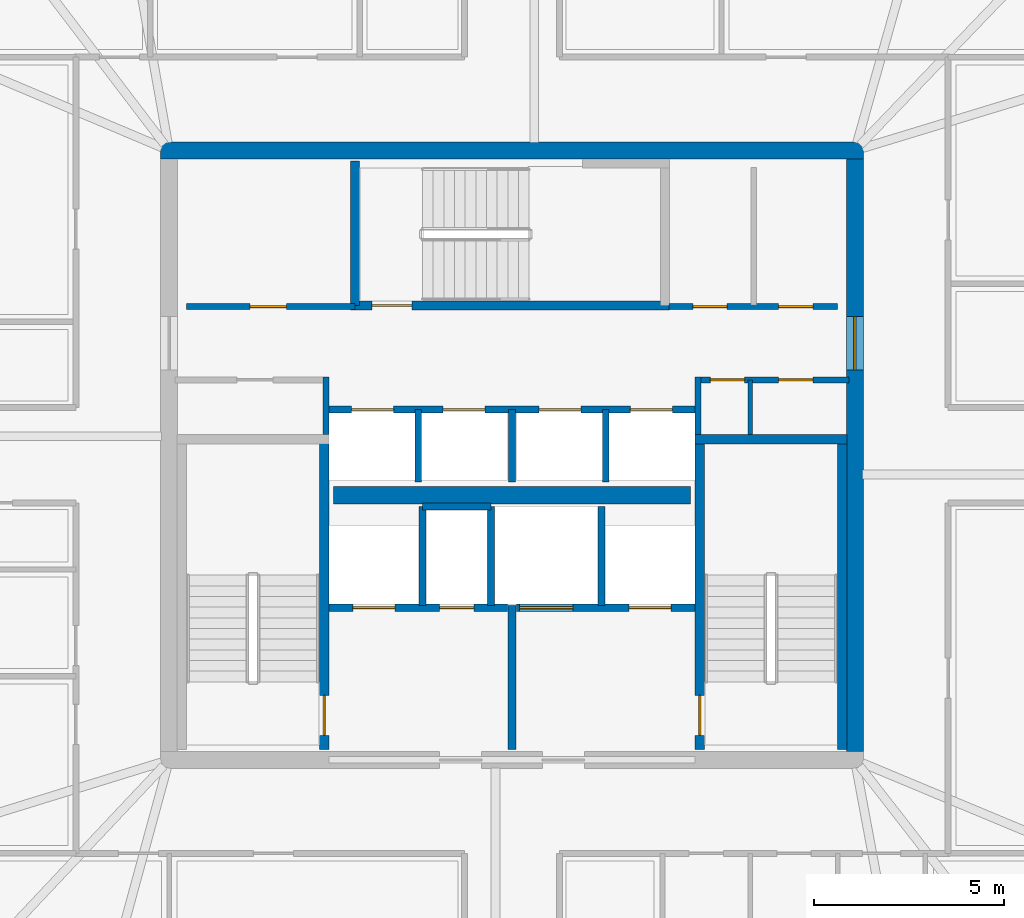
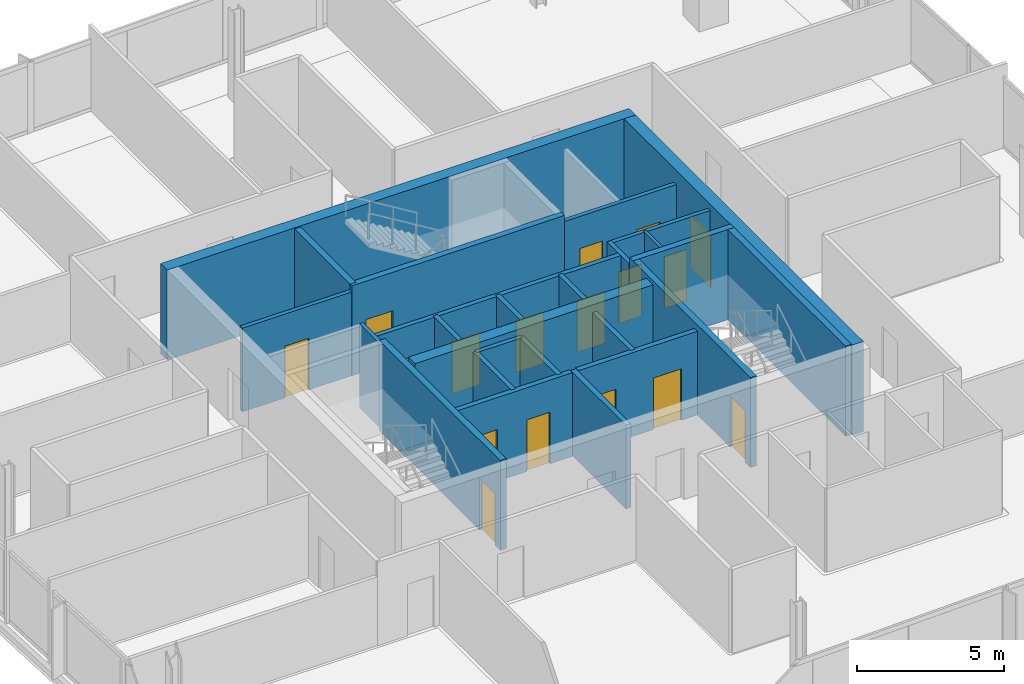
# One storey, part 18 of 23: 26 walls, 17 doors, 17 openings.
"""IFC4 building model written with IfcOpenShell, lengths in metres."""

from ifc_helpers import new_model, si_unit, direction, frame, frame_2d, origin, place, context, subcontext, project, spatial, rectangle, extrude, material, layer, layer_set, type_object, element, fill, save


model = new_model("IFC4")

# Units and contexts
model_context = context("Model", 3, precision=1e-05, world=origin(), true_north=direction((0.0, 1.0)))
body_context = subcontext(model_context, "Body", "Model", "MODEL_VIEW")
ifc_project = project(units=[si_unit("LENGTHUNIT", "METRE"), si_unit("AREAUNIT", "SQUARE_METRE"), si_unit("VOLUMEUNIT", "CUBIC_METRE"), si_unit("PLANEANGLEUNIT", "RADIAN"), si_unit("MASSUNIT", "GRAM", prefix="KILO")], contexts=[model_context])

# Site, building, storey
site_placement = place(None, origin())
site = spatial("IfcSite", under=ifc_project, at=site_placement, CompositionType="ELEMENT")
building_placement = place(site_placement, origin())
building = spatial("IfcBuilding", under=site, at=building_placement, Name="Haldenkirk Collegiate Tower", CompositionType="ELEMENT")
storey_placement = place(building_placement, frame((0.0, 0.0, 336.449951171875)))
storey = spatial("IfcBuildingStorey", under=building, at=storey_placement, Name="L85", CompositionType="ELEMENT", Elevation=336.449951171875)

# Wall
ifc_material_1 = material(Name="Concrete f'c 55 MPa", Category="concrete")
ifc_layer_1 = layer(ifc_material_1, 0.449951171875)
ifc_layer_set_1 = layer_set([ifc_layer_1], Name="Concrete f'c 55 MPa")
wall_type_1 = type_object("IfcWallType", Name="WL-CORE-450", PredefinedType="SHEAR", material=ifc_layer_set_1)
wall_1_placement = place(storey_placement, frame((26.77490234375, 34.0, 0.0), z_axis=(0.0, 0.0, 1.0), x_axis=(1.0, 0.0, 0.0)))
element("IfcWall", 1, at=wall_1_placement, inside=storey, type_object=wall_type_1, Name="L85 central core shear wall N", PredefinedType="SHEAR", context=body_context, shape_type="SweptSolid", body=[
    extrude(rectangle(XDim=18.4501953125, YDim=0.449951171875, at=frame_2d((9.22509765625, 0.0))), origin(), (0.0, 0.0, 1.0), 3.75),
])

# Wall, opening, door
wall_2_placement = place(storey_placement, frame((45.0, 18.22509765625, 0.0), z_axis=(0.0, 0.0, 1.0), x_axis=(0.0, 1.0, 0.0)))
wall_2 = element("IfcWall", 2, at=wall_2_placement, inside=storey, type_object=wall_type_1, Name="L85 central core shear wall E", PredefinedType="SHEAR", context=body_context, shape_type="SweptSolid", body=[
    extrude(rectangle(XDim=15.5498046875, YDim=0.449951171875, at=frame_2d((7.77490234375, 0.0))), origin(), (0.0, 0.0, 1.0), 3.75),
])
opening_1_placement = place(wall_2_placement, frame((10.014892578125, 0.0, 0.0)))
opening_1 = element("IfcOpeningElement", 3, at=opening_1_placement, cuts=wall_2, Name="Opening D-03", PredefinedType="OPENING", context=body_context, shape_type="SweptSolid", body=[
    extrude(rectangle(XDim=1.39990234375, YDim=2.199951171875, at=frame_2d((0.699951171875, 1.10009765625))), frame((0.0, 0.23486328125, 0.0), z_axis=(0.0, -1.0, 0.0), x_axis=(1.0, 0.0, 0.0)), (0.0, 0.0, 1.0), 0.469970703125),
])
ifc_material_2 = material(Name="Galvanized fire-rated hollow steel door", Category="steel")
ifc_layer_2 = layer(ifc_material_2, 0.06005859375)
ifc_layer_set_2 = layer_set([ifc_layer_2], Name="Galvanized fire-rated hollow steel door")
door_type_1 = type_object("IfcDoorType", Name="DR-LOBBY-FD90-1400", OperationType="NOTDEFINED", PredefinedType="DOOR", material=ifc_layer_set_2)
door_1_placement = place(opening_1_placement, origin())
door_1 = element("IfcDoor", 4, at=door_1_placement, inside=storey, type_object=door_type_1, Name="L85 east lift lobby portal", OperationType="DOUBLE_DOOR_SINGLE_SWING", OverallHeight=2.199951171875, OverallWidth=1.39990234375, PredefinedType="DOOR", context=body_context, shape_type="SweptSolid", body=[
    extrude(rectangle(XDim=1.39990234375, YDim=2.199951171875, at=frame_2d((0.699951171875, 1.10009765625))), frame((0.0, 0.02490234375, 0.0), z_axis=(0.0, -1.0, 0.0), x_axis=(1.0, 0.0, 0.0)), (0.0, 0.0, 1.0), 0.050048828125),
])
fill(opening_1, door_1)

# Walls
wall_3_placement = place(storey_placement, frame((31.31005859375, 24.949951171875, 0.0), z_axis=(0.0, 0.0, 1.0), x_axis=(1.0, 0.0, 0.0)))
element("IfcWall", 5, at=wall_3_placement, inside=storey, type_object=wall_type_1, Name="L85 central core spine shear wall", PredefinedType="SHEAR", context=body_context, shape_type="SweptSolid", body=[
    extrude(rectangle(XDim=9.3798828125, YDim=0.449951171875, at=frame_2d((4.68994140625, 0.0))), origin(), (0.0, 0.0, 1.0), 3.75),
])
ifc_material_3 = material(Name="Acoustic fire-rated gypsum partition", Category="concrete")
ifc_layer_3 = layer(ifc_material_3, 0.159912109375)
ifc_layer_set_3 = layer_set([ifc_layer_3], Name="Acoustic fire-rated gypsum partition")
wall_type_2 = type_object("IfcWallType", Name="WL-INT-CORR-160", PredefinedType="PARTITIONING", material=ifc_layer_set_3)
wall_4_placement = place(storey_placement, frame((31.1201171875, 26.5400390625, 0.0), z_axis=(0.0, 0.0, 1.0), x_axis=(0.0, 1.0, 0.0)))
element("IfcWall", 6, at=wall_4_placement, inside=storey, type_object=wall_type_2, Name="L85 interior partition IW-L85-VCSW-E", PredefinedType="PARTITIONING", context=body_context, shape_type="SweptSolid", body=[
    extrude(rectangle(XDim=1.510009765625, YDim=0.159912109375, at=frame_2d((0.7548828125, 0.0))), origin(), (0.0, 0.0, 1.0), 3.489990234375),
])

# Wall, openings, doors
wall_5_placement = place(storey_placement, frame((40.800048828125, 27.97998046875, 0.0), z_axis=(0.0, 0.0, 1.0), x_axis=(1.0, 0.0, 0.0)))
wall_5 = element("IfcWall", 7, at=wall_5_placement, inside=storey, type_object=wall_type_2, Name="L85 interior partition IW-L85-VCSE-N", PredefinedType="PARTITIONING", context=body_context, shape_type="SweptSolid", body=[
    extrude(rectangle(XDim=4.050048828125, YDim=0.159912109375, at=frame_2d((2.02490234375, 0.0))), origin(), (0.0, 0.0, 1.0), 3.489990234375),
])
opening_2_placement = place(wall_5_placement, frame((0.407470703125, 0.0, 0.0)))
opening_2 = element("IfcOpeningElement", 8, at=opening_2_placement, cuts=wall_5, Name="Opening D-11", PredefinedType="OPENING", context=body_context, shape_type="SweptSolid", body=[
    extrude(rectangle(XDim=0.89990234375, YDim=2.14990234375, at=frame_2d((0.449951171875, 1.074951171875))), frame((0.0, 0.08984375, 0.0), z_axis=(0.0, -1.0, 0.0), x_axis=(1.0, 0.0, 0.0)), (0.0, 0.0, 1.0), 0.179931640625),
])
opening_3_placement = place(wall_5_placement, frame((2.199951171875, 0.0, 0.0)))
opening_3 = element("IfcOpeningElement", 9, at=opening_3_placement, cuts=wall_5, Name="Opening D-11", PredefinedType="OPENING", context=body_context, shape_type="SweptSolid", body=[
    extrude(rectangle(XDim=0.89990234375, YDim=2.14990234375, at=frame_2d((0.449951171875, 1.074951171875))), frame((0.0, 0.08984375, 0.0), z_axis=(0.0, -1.0, 0.0), x_axis=(1.0, 0.0, 0.0)), (0.0, 0.0, 1.0), 0.179931640625),
])
ifc_material_4 = material(Name="Solid-core architectural oak fire door", Category="wood")
ifc_layer_4 = layer(ifc_material_4, 0.06005859375)
ifc_layer_set_4 = layer_set([ifc_layer_4], Name="Solid-core architectural oak fire door")
door_type_2 = type_object("IfcDoorType", Name="DR-INT-FD60-900", OperationType="NOTDEFINED", PredefinedType="DOOR", material=ifc_layer_set_4)
door_2_placement = place(opening_2_placement, origin())
door_2 = element("IfcDoor", 10, at=door_2_placement, inside=storey, type_object=door_type_2, Name="L85 core copy room door", OperationType="SINGLE_SWING_LEFT", OverallHeight=2.14990234375, OverallWidth=0.89990234375, PredefinedType="DOOR", context=body_context, shape_type="SweptSolid", body=[
    extrude(rectangle(XDim=0.89990234375, YDim=2.14990234375, at=frame_2d((0.449951171875, 1.074951171875))), frame((0.0, 0.02490234375, 0.0), z_axis=(0.0, -1.0, 0.0), x_axis=(1.0, 0.0, 0.0)), (0.0, 0.0, 1.0), 0.050048828125),
])
fill(opening_2, door_2)
door_3_placement = place(opening_3_placement, origin())
door_3 = element("IfcDoor", 11, at=door_3_placement, inside=storey, type_object=door_type_2, Name="L85 core records store door", OperationType="SINGLE_SWING_RIGHT", OverallHeight=2.14990234375, OverallWidth=0.89990234375, PredefinedType="DOOR", context=body_context, shape_type="SweptSolid", body=[
    extrude(rectangle(XDim=0.89990234375, YDim=2.14990234375, at=frame_2d((0.449951171875, 1.074951171875))), frame((0.0, 0.02490234375, 0.0), z_axis=(0.0, -1.0, 0.0), x_axis=(1.0, 0.0, 0.0)), (0.0, 0.0, 1.0), 0.050048828125),
])
fill(opening_3, door_3)

# Wall
wall_6_placement = place(storey_placement, frame((40.8798828125, 26.5400390625, 0.0), z_axis=(0.0, 0.0, 1.0), x_axis=(0.0, 1.0, 0.0)))
element("IfcWall", 12, at=wall_6_placement, inside=storey, type_object=wall_type_2, Name="L85 interior partition IW-L85-VCSE-W", PredefinedType="PARTITIONING", context=body_context, shape_type="SweptSolid", body=[
    extrude(rectangle(XDim=1.510009765625, YDim=0.159912109375, at=frame_2d((0.7548828125, 0.0))), origin(), (0.0, 0.0, 1.0), 3.489990234375),
])

# Wall, opening, door
wall_7_placement = place(storey_placement, frame((27.449951171875, 29.89990234375, 0.0), z_axis=(0.0, 0.0, 1.0), x_axis=(1.0, 0.0, 0.0)))
wall_7 = element("IfcWall", 13, at=wall_7_placement, inside=storey, type_object=wall_type_2, Name="L85 interior partition IW-L85-PLS", PredefinedType="PARTITIONING", context=body_context, shape_type="SweptSolid", body=[
    extrude(rectangle(XDim=4.429931640625, YDim=0.159912109375, at=frame_2d((2.21484375, 0.0))), origin(), (0.0, 0.0, 1.0), 3.489990234375),
])
opening_4_placement = place(wall_7_placement, frame((1.675048828125, 0.0, 0.0)))
opening_4 = element("IfcOpeningElement", 14, at=opening_4_placement, cuts=wall_7, Name="Opening D-10", PredefinedType="OPENING", context=body_context, shape_type="SweptSolid", body=[
    extrude(rectangle(XDim=0.949951171875, YDim=2.14990234375, at=frame_2d((0.47509765625, 1.074951171875))), frame((0.0, 0.08984375, 0.0), z_axis=(0.0, -1.0, 0.0), x_axis=(1.0, 0.0, 0.0)), (0.0, 0.0, 1.0), 0.179931640625),
])
ifc_layer_5 = layer(ifc_material_4, 0.06005859375)
ifc_layer_set_5 = layer_set([ifc_layer_5], Name="Solid-core architectural oak fire door")
door_type_3 = type_object("IfcDoorType", Name="DR-INT-FD60-950", OperationType="NOTDEFINED", PredefinedType="DOOR", material=ifc_layer_set_5)
door_4_placement = place(opening_4_placement, origin())
door_4 = element("IfcDoor", 15, at=door_4_placement, inside=storey, type_object=door_type_3, Name="L85 archive door", OperationType="SINGLE_SWING_LEFT", OverallHeight=2.14990234375, OverallWidth=0.949951171875, PredefinedType="DOOR", context=body_context, shape_type="SweptSolid", body=[
    extrude(rectangle(XDim=0.949951171875, YDim=2.14990234375, at=frame_2d((0.47509765625, 1.074951171875))), frame((0.0, 0.02490234375, 0.0), z_axis=(0.0, -1.0, 0.0), x_axis=(1.0, 0.0, 0.0)), (0.0, 0.0, 1.0), 0.050048828125),
])
fill(opening_4, door_4)

# Wall, openings, doors
wall_8_placement = place(storey_placement, frame((40.1201171875, 29.89990234375, 0.0), z_axis=(0.0, 0.0, 1.0), x_axis=(1.0, 0.0, 0.0)))
wall_8 = element("IfcWall", 16, at=wall_8_placement, inside=storey, type_object=wall_type_2, Name="L85 interior partition IW-L85-PMS", PredefinedType="PARTITIONING", context=body_context, shape_type="SweptSolid", body=[
    extrude(rectangle(XDim=4.429931640625, YDim=0.159912109375, at=frame_2d((2.21484375, 0.0))), origin(), (0.0, 0.0, 1.0), 3.489990234375),
])
opening_5_placement = place(wall_8_placement, frame((0.6298828125, 0.0, 0.0)))
opening_5 = element("IfcOpeningElement", 17, at=opening_5_placement, cuts=wall_8, Name="Opening D-11", PredefinedType="OPENING", context=body_context, shape_type="SweptSolid", body=[
    extrude(rectangle(XDim=0.89990234375, YDim=2.14990234375, at=frame_2d((0.449951171875, 1.074951171875))), frame((0.0, 0.08984375, 0.0), z_axis=(0.0, -1.0, 0.0), x_axis=(1.0, 0.0, 0.0)), (0.0, 0.0, 1.0), 0.179931640625),
])
opening_6_placement = place(wall_8_placement, frame((2.8798828125, 0.0, 0.0)))
opening_6 = element("IfcOpeningElement", 18, at=opening_6_placement, cuts=wall_8, Name="Opening D-11", PredefinedType="OPENING", context=body_context, shape_type="SweptSolid", body=[
    extrude(rectangle(XDim=0.89990234375, YDim=2.14990234375, at=frame_2d((0.449951171875, 1.074951171875))), frame((0.0, 0.08984375, 0.0), z_axis=(0.0, -1.0, 0.0), x_axis=(1.0, 0.0, 0.0)), (0.0, 0.0, 1.0), 0.179931640625),
])
door_5_placement = place(opening_5_placement, origin())
door_5 = element("IfcDoor", 19, at=door_5_placement, inside=storey, type_object=door_type_2, Name="L85 staff WC door", OperationType="SINGLE_SWING_RIGHT", OverallHeight=2.14990234375, OverallWidth=0.89990234375, PredefinedType="DOOR", context=body_context, shape_type="SweptSolid", body=[
    extrude(rectangle(XDim=0.89990234375, YDim=2.14990234375, at=frame_2d((0.449951171875, 1.074951171875))), frame((0.0, 0.02490234375, 0.0), z_axis=(0.0, -1.0, 0.0), x_axis=(1.0, 0.0, 0.0)), (0.0, 0.0, 1.0), 0.050048828125),
])
fill(opening_5, door_5)
door_6_placement = place(opening_6_placement, origin())
door_6 = element("IfcDoor", 20, at=door_6_placement, inside=storey, type_object=door_type_2, Name="L85 seminar alcove door", OperationType="SINGLE_SWING_LEFT", OverallHeight=2.14990234375, OverallWidth=0.89990234375, PredefinedType="DOOR", context=body_context, shape_type="SweptSolid", body=[
    extrude(rectangle(XDim=0.89990234375, YDim=2.14990234375, at=frame_2d((0.449951171875, 1.074951171875))), frame((0.0, 0.02490234375, 0.0), z_axis=(0.0, -1.0, 0.0), x_axis=(1.0, 0.0, 0.0)), (0.0, 0.0, 1.0), 0.050048828125),
])
fill(opening_6, door_6)

# Walls
ifc_material_5 = material(Name="Fire-rated gypsum shaftboard assembly", Category="concrete")
ifc_layer_6 = layer(ifc_material_5, 0.179931640625)
ifc_layer_set_6 = layer_set([ifc_layer_6], Name="Fire-rated gypsum shaftboard assembly")
wall_type_3 = type_object("IfcWallType", Name="WL-INT-SHAFT-180", PredefinedType="PARTITIONING", material=ifc_layer_set_6)
for number, where, z_axis, x_axis, name in (
    (21, (33.64990234375, 22.050048828125, 0.0), (0.0, 0.0, 1.0), (0.0, 1.0, 0.0), "L85 interior partition IW-L85-FL1E"),
    (22, (35.449951171875, 22.050048828125, 0.0), (0.0, 0.0, 1.0), (0.0, 1.0, 0.0), "L85 interior partition IW-L85-GL1W"),
):
    element("IfcWall", number, at=place(storey_placement, frame(where, z_axis=z_axis, x_axis=x_axis)), inside=storey, type_object=wall_type_3, Name=name, PredefinedType="PARTITIONING", context=body_context, shape_type="SweptSolid", body=[
        extrude(rectangle(XDim=2.599853515625, YDim=0.179931640625, at=frame_2d((1.2998046875, 0.0))), origin(), (0.0, 0.0, 1.0), 3.489990234375),
    ])
wall_9_placement = place(storey_placement, frame((33.64990234375, 24.64990234375, 0.0), z_axis=(0.0, 0.0, 1.0), x_axis=(1.0, 0.0, 0.0)))
element("IfcWall", 23, at=wall_9_placement, inside=storey, type_object=wall_type_3, Name="L85 interior partition IW-L85-RSRN", PredefinedType="PARTITIONING", context=body_context, shape_type="SweptSolid", body=[
    extrude(rectangle(XDim=1.800048828125, YDim=0.179931640625, at=frame_2d((0.89990234375, 0.0))), origin(), (0.0, 0.0, 1.0), 3.489990234375),
])
wall_10_placement = place(storey_placement, frame((38.35009765625, 22.050048828125, 0.0), z_axis=(0.0, 0.0, 1.0), x_axis=(0.0, 1.0, 0.0)))
element("IfcWall", 24, at=wall_10_placement, inside=storey, type_object=wall_type_3, Name="L85 interior partition IW-L85-GL1E", PredefinedType="PARTITIONING", context=body_context, shape_type="SweptSolid", body=[
    extrude(rectangle(XDim=2.599853515625, YDim=0.179931640625, at=frame_2d((1.2998046875, 0.0))), origin(), (0.0, 0.0, 1.0), 3.489990234375),
])

# Wall, openings, doors
wall_11_placement = place(storey_placement, frame((31.199951171875, 27.199951171875, 0.0), z_axis=(0.0, 0.0, 1.0), x_axis=(1.0, 0.0, 0.0)))
wall_11 = element("IfcWall", 25, at=wall_11_placement, inside=storey, type_object=wall_type_3, Name="L85 interior partition IW-L85-PHN", PredefinedType="PARTITIONING", context=body_context, shape_type="SweptSolid", body=[
    extrude(rectangle(XDim=9.60009765625, YDim=0.179931640625, at=frame_2d((4.800048828125, 0.0))), origin(), (0.0, 0.0, 1.0), 3.489990234375),
])
opening_7_placement = place(wall_11_placement, frame((0.590087890625, 0.0, 0.0)))
opening_7 = element("IfcOpeningElement", 26, at=opening_7_placement, cuts=wall_11, Name="Opening LD-11", PredefinedType="OPENING", context=body_context, shape_type="SweptSolid", body=[
    extrude(rectangle(XDim=1.10009765625, YDim=2.14990234375, at=frame_2d((0.550048828125, 1.074951171875))), frame((0.0, 0.099853515625, 0.0), z_axis=(0.0, -1.0, 0.0), x_axis=(1.0, 0.0, 0.0)), (0.0, 0.0, 1.0), 0.199951171875),
])
opening_8_placement = place(wall_11_placement, frame((2.989990234375, 0.0, 0.0)))
opening_8 = element("IfcOpeningElement", 27, at=opening_8_placement, cuts=wall_11, Name="Opening LD-11", PredefinedType="OPENING", context=body_context, shape_type="SweptSolid", body=[
    extrude(rectangle(XDim=1.10009765625, YDim=2.14990234375, at=frame_2d((0.550048828125, 1.074951171875))), frame((0.0, 0.099853515625, 0.0), z_axis=(0.0, -1.0, 0.0), x_axis=(1.0, 0.0, 0.0)), (0.0, 0.0, 1.0), 0.199951171875),
])
opening_9_placement = place(wall_11_placement, frame((5.510009765625, 0.0, 0.0)))
opening_9 = element("IfcOpeningElement", 28, at=opening_9_placement, cuts=wall_11, Name="Opening LD-11", PredefinedType="OPENING", context=body_context, shape_type="SweptSolid", body=[
    extrude(rectangle(XDim=1.10009765625, YDim=2.14990234375, at=frame_2d((0.550048828125, 1.074951171875))), frame((0.0, 0.099853515625, 0.0), z_axis=(0.0, -1.0, 0.0), x_axis=(1.0, 0.0, 0.0)), (0.0, 0.0, 1.0), 0.199951171875),
])
opening_10_placement = place(wall_11_placement, frame((7.909912109375, 0.0, 0.0)))
opening_10 = element("IfcOpeningElement", 29, at=opening_10_placement, cuts=wall_11, Name="Opening LD-11", PredefinedType="OPENING", context=body_context, shape_type="SweptSolid", body=[
    extrude(rectangle(XDim=1.10009765625, YDim=2.14990234375, at=frame_2d((0.550048828125, 1.074951171875))), frame((0.0, 0.099853515625, 0.0), z_axis=(0.0, -1.0, 0.0), x_axis=(1.0, 0.0, 0.0)), (0.0, 0.0, 1.0), 0.199951171875),
])
ifc_material_6 = material(Name="Brushed architectural stainless steel", Category="steel")
ifc_layer_7 = layer(ifc_material_6, 0.06005859375)
ifc_layer_set_7 = layer_set([ifc_layer_7], Name="Brushed architectural stainless steel")
door_type_4 = type_object("IfcDoorType", Name="LD-PASS-1100", OperationType="NOTDEFINED", PredefinedType="DOOR", material=ifc_layer_set_7)
door_7_placement = place(opening_7_placement, origin())
door_7 = element("IfcDoor", 30, at=door_7_placement, inside=storey, type_object=door_type_4, Name="L85 Elevator PH1 sliding landing door", OperationType="SLIDING_TO_LEFT", OverallHeight=2.14990234375, OverallWidth=1.10009765625, PredefinedType="DOOR", context=body_context, shape_type="SweptSolid", body=[
    extrude(rectangle(XDim=1.10009765625, YDim=2.14990234375, at=frame_2d((0.550048828125, 1.074951171875))), frame((0.0, 0.02490234375, 0.0), z_axis=(0.0, -1.0, 0.0), x_axis=(1.0, 0.0, 0.0)), (0.0, 0.0, 1.0), 0.050048828125),
])
fill(opening_7, door_7)
door_8_placement = place(opening_8_placement, origin())
door_8 = element("IfcDoor", 31, at=door_8_placement, inside=storey, type_object=door_type_4, Name="L85 Elevator PH2 sliding landing door", OperationType="SLIDING_TO_LEFT", OverallHeight=2.14990234375, OverallWidth=1.10009765625, PredefinedType="DOOR", context=body_context, shape_type="SweptSolid", body=[
    extrude(rectangle(XDim=1.10009765625, YDim=2.14990234375, at=frame_2d((0.550048828125, 1.074951171875))), frame((0.0, 0.02490234375, 0.0), z_axis=(0.0, -1.0, 0.0), x_axis=(1.0, 0.0, 0.0)), (0.0, 0.0, 1.0), 0.050048828125),
])
fill(opening_8, door_8)
door_9_placement = place(opening_9_placement, origin())
door_9 = element("IfcDoor", 32, at=door_9_placement, inside=storey, type_object=door_type_4, Name="L85 Elevator PH3 sliding landing door", OperationType="SLIDING_TO_LEFT", OverallHeight=2.14990234375, OverallWidth=1.10009765625, PredefinedType="DOOR", context=body_context, shape_type="SweptSolid", body=[
    extrude(rectangle(XDim=1.10009765625, YDim=2.14990234375, at=frame_2d((0.550048828125, 1.074951171875))), frame((0.0, 0.02490234375, 0.0), z_axis=(0.0, -1.0, 0.0), x_axis=(1.0, 0.0, 0.0)), (0.0, 0.0, 1.0), 0.050048828125),
])
fill(opening_9, door_9)
door_10_placement = place(opening_10_placement, origin())
door_10 = element("IfcDoor", 33, at=door_10_placement, inside=storey, type_object=door_type_4, Name="L85 Elevator PH4 sliding landing door", OperationType="SLIDING_TO_LEFT", OverallHeight=2.14990234375, OverallWidth=1.10009765625, PredefinedType="DOOR", context=body_context, shape_type="SweptSolid", body=[
    extrude(rectangle(XDim=1.10009765625, YDim=2.14990234375, at=frame_2d((0.550048828125, 1.074951171875))), frame((0.0, 0.02490234375, 0.0), z_axis=(0.0, -1.0, 0.0), x_axis=(1.0, 0.0, 0.0)), (0.0, 0.0, 1.0), 0.050048828125),
])
fill(opening_10, door_10)

# Walls
for number, where, z_axis, x_axis, name in (
    (34, (33.5400390625, 25.300048828125, 0.0), (0.0, 0.0, 1.0), (0.0, 1.0, 0.0), "L85 interior partition IW-L85-PHV1"),
    (35, (36.0, 25.300048828125, 0.0), (0.0, 0.0, 1.0), (0.0, 1.0, 0.0), "L85 interior partition IW-L85-PHV2"),
    (36, (38.4599609375, 25.300048828125, 0.0), (0.0, 0.0, 1.0), (0.0, 1.0, 0.0), "L85 interior partition IW-L85-PHV3"),
):
    element("IfcWall", number, at=place(storey_placement, frame(where, z_axis=z_axis, x_axis=x_axis)), inside=storey, type_object=wall_type_3, Name=name, PredefinedType="PARTITIONING", context=body_context, shape_type="SweptSolid", body=[
        extrude(rectangle(XDim=1.89990234375, YDim=0.179931640625, at=frame_2d((0.949951171875, 0.0))), origin(), (0.0, 0.0, 1.0), 3.489990234375),
    ])
ifc_layer_8 = layer(ifc_material_5, 0.199951171875)
ifc_layer_set_8 = layer_set([ifc_layer_8], Name="Fire-rated gypsum shaftboard assembly")
wall_type_4 = type_object("IfcWallType", Name="WL-INT-SHAFT-200", PredefinedType="PARTITIONING", material=ifc_layer_set_8)
wall_12_placement = place(storey_placement, frame((36.0, 18.280029296875, 0.0), z_axis=(0.0, 0.0, 1.0), x_axis=(0.0, 1.0, 0.0)))
element("IfcWall", 37, at=wall_12_placement, inside=storey, type_object=wall_type_4, Name="L85 interior partition IW-L85-FFLM", PredefinedType="PARTITIONING", context=body_context, shape_type="SweptSolid", body=[
    extrude(rectangle(XDim=3.77001953125, YDim=0.199951171875, at=frame_2d((1.885009765625, 0.0))), origin(), (0.0, 0.0, 1.0), 3.489990234375),
])

# Wall, openings, doors
wall_13_placement = place(storey_placement, frame((31.18994140625, 22.0, 0.0), z_axis=(0.0, 0.0, 1.0), x_axis=(1.0, 0.0, 0.0)))
wall_13 = element("IfcWall", 38, at=wall_13_placement, inside=storey, type_object=wall_type_4, Name="L85 interior partition IW-L85-FFL1N", PredefinedType="PARTITIONING", context=body_context, shape_type="SweptSolid", body=[
    extrude(rectangle(XDim=4.68994140625, YDim=0.199951171875, at=frame_2d((2.344970703125, 0.0))), origin(), (0.0, 0.0, 1.0), 3.489990234375),
])
opening_11_placement = place(wall_13_placement, frame((2.909912109375, 0.0, 0.0)))
opening_11 = element("IfcOpeningElement", 39, at=opening_11_placement, cuts=wall_13, Name="Opening D-06", PredefinedType="OPENING", context=body_context, shape_type="SweptSolid", body=[
    extrude(rectangle(XDim=0.89990234375, YDim=2.14990234375, at=frame_2d((0.449951171875, 1.074951171875))), frame((0.0, 0.10986328125, 0.0), z_axis=(0.0, -1.0, 0.0), x_axis=(1.0, 0.0, 0.0)), (0.0, 0.0, 1.0), 0.219970703125),
])
opening_12_placement = place(wall_13_placement, frame((0.635009765625, 0.0, 0.0)))
opening_12 = element("IfcOpeningElement", 40, at=opening_12_placement, cuts=wall_13, Name="Opening LD-12", PredefinedType="OPENING", context=body_context, shape_type="SweptSolid", body=[
    extrude(rectangle(XDim=1.10009765625, YDim=2.14990234375, at=frame_2d((0.550048828125, 1.074951171875))), frame((0.0, 0.10986328125, 0.0), z_axis=(0.0, -1.0, 0.0), x_axis=(1.0, 0.0, 0.0)), (0.0, 0.0, 1.0), 0.219970703125),
])
ifc_layer_9 = layer(ifc_material_2, 0.06005859375)
ifc_layer_set_9 = layer_set([ifc_layer_9], Name="Galvanized fire-rated hollow steel door")
door_type_5 = type_object("IfcDoorType", Name="DR-INT-FD90-900", OperationType="NOTDEFINED", PredefinedType="DOOR", material=ifc_layer_set_9)
door_11_placement = place(opening_11_placement, origin())
door_11 = element("IfcDoor", 41, at=door_11_placement, inside=storey, type_object=door_type_5, Name="L85 electrical riser door", OperationType="SINGLE_SWING_LEFT", OverallHeight=2.14990234375, OverallWidth=0.89990234375, PredefinedType="DOOR", context=body_context, shape_type="SweptSolid", body=[
    extrude(rectangle(XDim=0.89990234375, YDim=2.14990234375, at=frame_2d((0.449951171875, 1.074951171875))), frame((0.0, 0.02490234375, 0.0), z_axis=(0.0, -1.0, 0.0), x_axis=(1.0, 0.0, 0.0)), (0.0, 0.0, 1.0), 0.050048828125),
])
fill(opening_11, door_11)
ifc_layer_10 = layer(ifc_material_6, 0.06005859375)
ifc_layer_set_10 = layer_set([ifc_layer_10], Name="Brushed architectural stainless steel")
door_type_6 = type_object("IfcDoorType", Name="LD-FIRE-1100", OperationType="NOTDEFINED", PredefinedType="DOOR", material=ifc_layer_set_10)
door_12_placement = place(opening_12_placement, origin())
door_12 = element("IfcDoor", 42, at=door_12_placement, inside=storey, type_object=door_type_6, Name="L85 Elevator FL1 sliding landing door", OperationType="SLIDING_TO_LEFT", OverallHeight=2.14990234375, OverallWidth=1.10009765625, PredefinedType="DOOR", context=body_context, shape_type="SweptSolid", body=[
    extrude(rectangle(XDim=1.10009765625, YDim=2.14990234375, at=frame_2d((0.550048828125, 1.074951171875))), frame((0.0, 0.02490234375, 0.0), z_axis=(0.0, -1.0, 0.0), x_axis=(1.0, 0.0, 0.0)), (0.0, 0.0, 1.0), 0.050048828125),
])
fill(opening_12, door_12)

wall_14_placement = place(storey_placement, frame((36.1201171875, 22.0, 0.0), z_axis=(0.0, 0.0, 1.0), x_axis=(1.0, 0.0, 0.0)))
wall_14 = element("IfcWall", 43, at=wall_14_placement, inside=storey, type_object=wall_type_4, Name="L85 interior partition IW-L85-FFL2N", PredefinedType="PARTITIONING", context=body_context, shape_type="SweptSolid", body=[
    extrude(rectangle(XDim=4.68994140625, YDim=0.199951171875, at=frame_2d((2.344970703125, 0.0))), origin(), (0.0, 0.0, 1.0), 3.489990234375),
])
opening_13_placement = place(wall_14_placement, frame((2.955078125, 0.0, 0.0)))
opening_13 = element("IfcOpeningElement", 44, at=opening_13_placement, cuts=wall_14, Name="Opening LD-12", PredefinedType="OPENING", context=body_context, shape_type="SweptSolid", body=[
    extrude(rectangle(XDim=1.10009765625, YDim=2.14990234375, at=frame_2d((0.550048828125, 1.074951171875))), frame((0.0, 0.10986328125, 0.0), z_axis=(0.0, -1.0, 0.0), x_axis=(1.0, 0.0, 0.0)), (0.0, 0.0, 1.0), 0.219970703125),
])
opening_14_placement = place(wall_14_placement, frame((0.080078125, 0.0, 0.0)))
opening_14 = element("IfcOpeningElement", 45, at=opening_14_placement, cuts=wall_14, Name="Opening LD-13", PredefinedType="OPENING", context=body_context, shape_type="SweptSolid", body=[
    extrude(rectangle(XDim=1.39990234375, YDim=2.199951171875, at=frame_2d((0.699951171875, 1.10009765625))), frame((0.0, 0.10986328125, 0.0), z_axis=(0.0, -1.0, 0.0), x_axis=(1.0, 0.0, 0.0)), (0.0, 0.0, 1.0), 0.219970703125),
])
door_13_placement = place(opening_13_placement, origin())
door_13 = element("IfcDoor", 46, at=door_13_placement, inside=storey, type_object=door_type_6, Name="L85 Elevator FL2 sliding landing door", OperationType="SLIDING_TO_LEFT", OverallHeight=2.14990234375, OverallWidth=1.10009765625, PredefinedType="DOOR", context=body_context, shape_type="SweptSolid", body=[
    extrude(rectangle(XDim=1.10009765625, YDim=2.14990234375, at=frame_2d((0.550048828125, 1.074951171875))), frame((0.0, 0.02490234375, 0.0), z_axis=(0.0, -1.0, 0.0), x_axis=(1.0, 0.0, 0.0)), (0.0, 0.0, 1.0), 0.050048828125),
])
fill(opening_13, door_13)
ifc_layer_11 = layer(ifc_material_6, 0.06005859375)
ifc_layer_set_11 = layer_set([ifc_layer_11], Name="Brushed architectural stainless steel")
door_type_7 = type_object("IfcDoorType", Name="LD-GOODS-1400", OperationType="NOTDEFINED", PredefinedType="DOOR", material=ifc_layer_set_11)
door_14_placement = place(opening_14_placement, origin())
door_14 = element("IfcDoor", 47, at=door_14_placement, inside=storey, type_object=door_type_7, Name="L85 Elevator GL1 sliding landing door", OperationType="SLIDING_TO_LEFT", OverallHeight=2.199951171875, OverallWidth=1.39990234375, PredefinedType="DOOR", context=body_context, shape_type="SweptSolid", body=[
    extrude(rectangle(XDim=1.39990234375, YDim=2.199951171875, at=frame_2d((0.699951171875, 1.10009765625))), frame((0.0, 0.02490234375, 0.0), z_axis=(0.0, -1.0, 0.0), x_axis=(1.0, 0.0, 0.0)), (0.0, 0.0, 1.0), 0.050048828125),
])
fill(opening_14, door_14)

# Wall
ifc_layer_12 = layer(ifc_material_3, 0.1201171875)
ifc_layer_set_12 = layer_set([ifc_layer_12], Name="Acoustic fire-rated gypsum partition")
wall_type_5 = type_object("IfcWallType", Name="WL-INT-WET-120", PredefinedType="PARTITIONING", material=ifc_layer_set_12)
wall_15_placement = place(storey_placement, frame((42.25, 26.5400390625, 0.0), z_axis=(0.0, 0.0, 1.0), x_axis=(0.0, 1.0, 0.0)))
element("IfcWall", 48, at=wall_15_placement, inside=storey, type_object=wall_type_5, Name="L85 interior partition IW-L85-VCSE-M", PredefinedType="PARTITIONING", context=body_context, shape_type="SweptSolid", body=[
    extrude(rectangle(XDim=1.43994140625, YDim=0.1201171875, at=frame_2d((0.719970703125, 0.0))), origin(), (0.0, 0.0, 1.0), 3.489990234375),
])

# Wall, opening, door
ifc_layer_13 = layer(ifc_material_1, 0.239990234375)
ifc_layer_set_13 = layer_set([ifc_layer_13], Name="Concrete f'c 55 MPa")
wall_type_6 = type_object("IfcWallType", Name="WL-SHAFT-240", PredefinedType="SHEAR", material=ifc_layer_set_13)
wall_16_placement = place(storey_placement, frame((31.070068359375, 18.280029296875, 0.0), z_axis=(0.0, 0.0, 1.0), x_axis=(0.0, 1.0, 0.0)))
wall_16 = element("IfcWall", 49, at=wall_16_placement, inside=storey, type_object=wall_type_6, Name="L85 stair shaft shear wall SW-L85-ST1E", PredefinedType="SHEAR", context=body_context, shape_type="SweptSolid", body=[
    extrude(rectangle(XDim=8.260009765625, YDim=0.239990234375, at=frame_2d((4.1298828125, 0.0))), origin(), (0.0, 0.0, 1.0), 3.75),
])
opening_15_placement = place(wall_16_placement, frame((0.364990234375, 0.0, 0.0)))
opening_15 = element("IfcOpeningElement", 50, at=opening_15_placement, cuts=wall_16, Name="Opening D-01", PredefinedType="OPENING", context=body_context, shape_type="SweptSolid", body=[
    extrude(rectangle(XDim=1.050048828125, YDim=2.14990234375, at=frame_2d((0.52490234375, 1.074951171875))), frame((0.0, 0.1298828125, 0.0), z_axis=(0.0, -1.0, 0.0), x_axis=(1.0, 0.0, 0.0)), (0.0, 0.0, 1.0), 0.260009765625),
])
ifc_layer_14 = layer(ifc_material_2, 0.06005859375)
ifc_layer_set_14 = layer_set([ifc_layer_14], Name="Galvanized fire-rated hollow steel door")
door_type_8 = type_object("IfcDoorType", Name="DR-STAIR-FD90-1050", OperationType="NOTDEFINED", PredefinedType="DOOR", material=ifc_layer_set_14)
door_15_placement = place(opening_15_placement, origin())
door_15 = element("IfcDoor", 51, at=door_15_placement, inside=storey, type_object=door_type_8, Name="L85 Stair 1 door", OperationType="SINGLE_SWING_LEFT", OverallHeight=2.14990234375, OverallWidth=1.050048828125, PredefinedType="DOOR", context=body_context, shape_type="SweptSolid", body=[
    extrude(rectangle(XDim=1.050048828125, YDim=2.14990234375, at=frame_2d((0.52490234375, 1.074951171875))), frame((0.0, 0.02490234375, 0.0), z_axis=(0.0, -1.0, 0.0), x_axis=(1.0, 0.0, 0.0)), (0.0, 0.0, 1.0), 0.050048828125),
])
fill(opening_15, door_15)

wall_17_placement = place(storey_placement, frame((40.929931640625, 18.280029296875, 0.0), z_axis=(0.0, 0.0, 1.0), x_axis=(0.0, 1.0, 0.0)))
wall_17 = element("IfcWall", 52, at=wall_17_placement, inside=storey, type_object=wall_type_6, Name="L85 stair shaft shear wall SW-L85-ST2W", PredefinedType="SHEAR", context=body_context, shape_type="SweptSolid", body=[
    extrude(rectangle(XDim=8.260009765625, YDim=0.239990234375, at=frame_2d((4.1298828125, 0.0))), origin(), (0.0, 0.0, 1.0), 3.75),
])
opening_16_placement = place(wall_17_placement, frame((0.364990234375, 0.0, 0.0)))
opening_16 = element("IfcOpeningElement", 53, at=opening_16_placement, cuts=wall_17, Name="Opening D-01", PredefinedType="OPENING", context=body_context, shape_type="SweptSolid", body=[
    extrude(rectangle(XDim=1.050048828125, YDim=2.14990234375, at=frame_2d((0.52490234375, 1.074951171875))), frame((0.0, 0.1298828125, 0.0), z_axis=(0.0, -1.0, 0.0), x_axis=(1.0, 0.0, 0.0)), (0.0, 0.0, 1.0), 0.260009765625),
])
door_16_placement = place(opening_16_placement, origin())
door_16 = element("IfcDoor", 54, at=door_16_placement, inside=storey, type_object=door_type_8, Name="L85 Stair 2 door", OperationType="SINGLE_SWING_RIGHT", OverallHeight=2.14990234375, OverallWidth=1.050048828125, PredefinedType="DOOR", context=body_context, shape_type="SweptSolid", body=[
    extrude(rectangle(XDim=1.050048828125, YDim=2.14990234375, at=frame_2d((0.52490234375, 1.074951171875))), frame((0.0, 0.02490234375, 0.0), z_axis=(0.0, -1.0, 0.0), x_axis=(1.0, 0.0, 0.0)), (0.0, 0.0, 1.0), 0.050048828125),
])
fill(opening_16, door_16)

# Walls
wall_18_placement = place(storey_placement, frame((40.81005859375, 26.419921875, 0.0), z_axis=(0.0, 0.0, 1.0), x_axis=(1.0, 0.0, 0.0)))
element("IfcWall", 55, at=wall_18_placement, inside=storey, type_object=wall_type_6, Name="L85 stair shaft shear wall SW-L85-ST2N", PredefinedType="SHEAR", context=body_context, shape_type="SweptSolid", body=[
    extrude(rectangle(XDim=3.97998046875, YDim=0.239990234375, at=frame_2d((1.989990234375, 0.0))), origin(), (0.0, 0.0, 1.0), 3.75),
])
wall_19_placement = place(storey_placement, frame((44.669921875, 18.280029296875, 0.0), z_axis=(0.0, 0.0, 1.0), x_axis=(0.0, 1.0, 0.0)))
element("IfcWall", 56, at=wall_19_placement, inside=storey, type_object=wall_type_6, Name="L85 stair shaft shear wall SW-L85-ST2E", PredefinedType="SHEAR", context=body_context, shape_type="SweptSolid", body=[
    extrude(rectangle(XDim=8.260009765625, YDim=0.239990234375, at=frame_2d((4.1298828125, 0.0))), origin(), (0.0, 0.0, 1.0), 3.75),
])

# Wall, opening, door
wall_20_placement = place(storey_placement, frame((31.760009765625, 29.929931640625, 0.0), z_axis=(0.0, 0.0, 1.0), x_axis=(1.0, 0.0, 0.0)))
wall_20 = element("IfcWall", 57, at=wall_20_placement, inside=storey, type_object=wall_type_6, Name="L85 stair shaft shear wall SW-L85-ST3S", PredefinedType="SHEAR", context=body_context, shape_type="SweptSolid", body=[
    extrude(rectangle(XDim=8.3798828125, YDim=0.239990234375, at=frame_2d((4.18994140625, 0.0))), origin(), (0.0, 0.0, 1.0), 3.75),
])
opening_17_placement = place(wall_20_placement, frame((0.56494140625, 0.0, 0.0)))
opening_17 = element("IfcOpeningElement", 58, at=opening_17_placement, cuts=wall_20, Name="Opening D-01", PredefinedType="OPENING", context=body_context, shape_type="SweptSolid", body=[
    extrude(rectangle(XDim=1.050048828125, YDim=2.14990234375, at=frame_2d((0.52490234375, 1.074951171875))), frame((0.0, 0.1298828125, 0.0), z_axis=(0.0, -1.0, 0.0), x_axis=(1.0, 0.0, 0.0)), (0.0, 0.0, 1.0), 0.260009765625),
])
door_17_placement = place(opening_17_placement, origin())
door_17 = element("IfcDoor", 59, at=door_17_placement, inside=storey, type_object=door_type_8, Name="L85 lift lobby Stair 3 door", OperationType="SINGLE_SWING_RIGHT", OverallHeight=2.14990234375, OverallWidth=1.050048828125, PredefinedType="DOOR", context=body_context, shape_type="SweptSolid", body=[
    extrude(rectangle(XDim=1.050048828125, YDim=2.14990234375, at=frame_2d((0.52490234375, 1.074951171875))), frame((0.0, 0.02490234375, 0.0), z_axis=(0.0, -1.0, 0.0), x_axis=(1.0, 0.0, 0.0)), (0.0, 0.0, 1.0), 0.050048828125),
])
fill(opening_17, door_17)

# Wall
wall_21_placement = place(storey_placement, frame((31.8798828125, 29.929931640625, 0.0), z_axis=(0.0, 0.0, 1.0), x_axis=(0.0, 1.0, 0.0)))
element("IfcWall", 60, at=wall_21_placement, inside=storey, type_object=wall_type_6, Name="L85 stair shaft shear wall SW-L85-ST3W", PredefinedType="SHEAR", context=body_context, shape_type="SweptSolid", body=[
    extrude(rectangle(XDim=3.7900390625, YDim=0.239990234375, at=frame_2d((1.89501953125, 0.0))), origin(), (0.0, 0.0, 1.0), 3.75),
])

save(model, "model.ifc")
